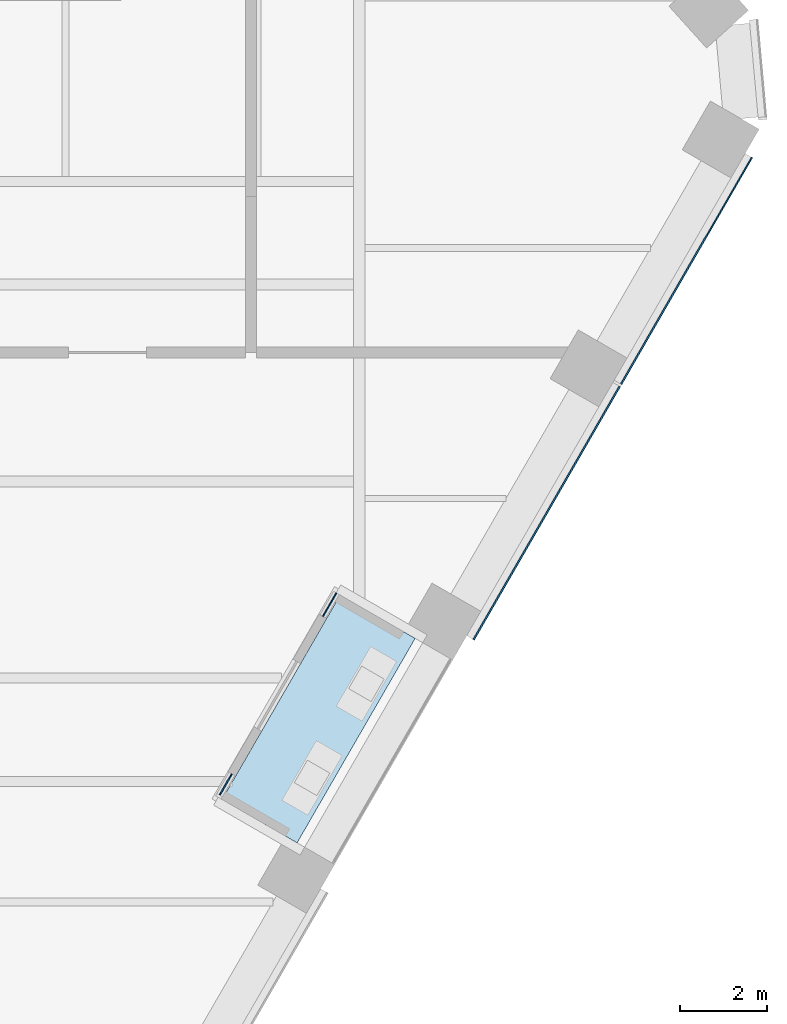
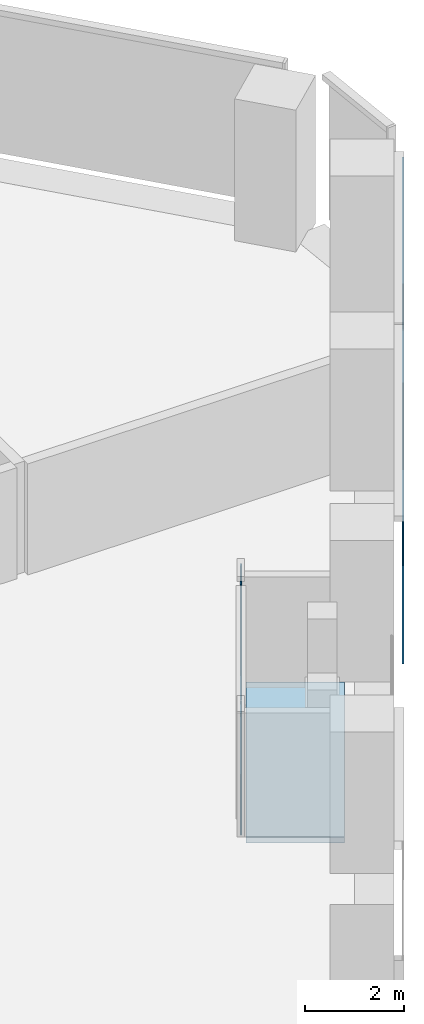
# One storey, part 14 of 25: 4 plates, 1 slab, 2 elements without a shape of their own.
"""IFC4 building model written with IfcOpenShell, lengths in metres."""

from ifc_helpers import new_model, si_unit, direction, frame, origin, origin_2d, place, context, subcontext, project, spatial, polyline, rectangle, outline, extrude, material, layer, layer_set, type_object, element, aggregate, save


model = new_model("IFC4")

# Units and contexts
model_context = context("Model", 3, precision=1e-05, world=origin(), true_north=direction((0.0, 1.0)))
body_context = subcontext(model_context, "Body", "Model", "MODEL_VIEW")
ifc_project = project(units=[si_unit("LENGTHUNIT", "METRE"), si_unit("AREAUNIT", "SQUARE_METRE"), si_unit("VOLUMEUNIT", "CUBIC_METRE"), si_unit("PLANEANGLEUNIT", "RADIAN"), si_unit("MASSUNIT", "GRAM", prefix="KILO")], contexts=[model_context])

# Site, building, storey
site_placement = place(None, origin())
site = spatial("IfcSite", under=ifc_project, at=site_placement, CompositionType="ELEMENT")
building_placement = place(site_placement, origin())
building = spatial("IfcBuilding", under=site, at=building_placement, Name="Isthmus Gate Tower", CompositionType="ELEMENT")
storey_placement = place(building_placement, frame((0.0, 0.0, 174.449951171875)))
storey = spatial("IfcBuildingStorey", under=building, at=storey_placement, Name="L43", CompositionType="ELEMENT", Elevation=174.449951171875)

# Curtain wall, plates
ifc_material_1 = material(Name="Aluminium, pale champagne anodised", Category="aluminium")
ifc_layer_1 = layer(ifc_material_1, 0.199951171875)
ifc_layer_set_1 = layer_set([ifc_layer_1], Name="CW-1 UNITISED CURTAIN WALL 200 DEEP")
curtain_wall_type_1 = type_object("IfcCurtainWallType", Name="CW-1 UNITISED CURTAIN WALL 200 DEEP", PredefinedType="NOTDEFINED", material=ifc_layer_set_1)
curtain_wall_1_placement = place(storey_placement, origin())
curtain_wall_1 = element("IfcCurtainWall", 1, at=curtain_wall_1_placement, inside=storey, type_object=curtain_wall_type_1, Name="CW-1 SE L43", PredefinedType="NOTDEFINED")
ifc_material_2 = material(Name="Laminated low-iron glass, pale blue tint", Category="glass")
ifc_layer_2 = layer(ifc_material_2, 0.035888671875)
ifc_layer_set_2 = layer_set([ifc_layer_2], Name="CW-1 CLEAR GLASS LITE 36")
plate_type_1 = type_object("IfcPlateType", Name="CW-1 CLEAR GLASS LITE 36", PredefinedType="CURTAIN_PANEL", material=ifc_layer_set_2)
plate_1_placement = place(storey_placement, frame((28.32470703125, -7.30419921875, 0.0), z_axis=(0.0, 0.0, 1.0), x_axis=(0.5, 0.866025403784, 0.0)))
plate_1 = element("IfcPlate", 2, at=plate_1_placement, type_object=plate_type_1, Name="CW-1 glass lite", PredefinedType="CURTAIN_PANEL", context=body_context, shape_type="SweptSolid", body=[
    extrude(rectangle(XDim=6.750244140625, YDim=0.035888671875, at=origin_2d()), origin(), (0.0, 0.0, 1.0), 3.510009765625),
])
plate_2_placement = place(storey_placement, frame((31.55224609375, -1.7138671875, 0.0), z_axis=(0.0, 0.0, 1.0), x_axis=(0.5, 0.866025403784, 0.0)))
plate_2 = element("IfcPlate", 3, at=plate_2_placement, type_object=plate_type_1, Name="CW-1 glass lite", PredefinedType="CURTAIN_PANEL", context=body_context, shape_type="SweptSolid", body=[
    extrude(rectangle(XDim=6.0400390625, YDim=0.035888671875, at=origin_2d()), origin(), (0.0, 0.0, 1.0), 3.510009765625),
])
aggregate(curtain_wall_1, [plate_1, plate_2])

ifc_material_3 = material(Name="Aluminium, pale champagne anodised", Category="aluminium")
ifc_layer_3 = layer(ifc_material_3, 0.14990234375)
ifc_layer_set_3 = layer_set([ifc_layer_3], Name="CW-6 LOGGIA BACK WALL GLAZING 150 DEEP")
curtain_wall_type_2 = type_object("IfcCurtainWallType", Name="CW-6 LOGGIA BACK WALL GLAZING 150 DEEP", PredefinedType="NOTDEFINED", material=ifc_layer_set_3)
curtain_wall_2_placement = place(storey_placement, origin())
curtain_wall_2 = element("IfcCurtainWall", 4, at=curtain_wall_2_placement, inside=storey, type_object=curtain_wall_type_2, Name="CW-6 SE L43", PredefinedType="NOTDEFINED")
ifc_material_4 = material(Name="Laminated low-iron glass, clear", Category="glass")
ifc_layer_4 = layer(ifc_material_4, 0.031982421875)
ifc_layer_set_4 = layer_set([ifc_layer_4], Name="CW-6 CLEAR GLASS LITE 32")
plate_type_2 = type_object("IfcPlateType", Name="CW-6 CLEAR GLASS LITE 32", PredefinedType="CURTAIN_PANEL", material=ifc_layer_set_4)
plate_3_placement = place(storey_placement, frame((20.916015625, -13.572265625, 0.0), z_axis=(0.0, 0.0, 1.0), x_axis=(0.5, 0.866025403784, 0.0)))
plate_3 = element("IfcPlate", 5, at=plate_3_placement, type_object=plate_type_2, Name="CW-6 glass lite", PredefinedType="CURTAIN_PANEL", context=body_context, shape_type="SweptSolid", body=[
    extrude(rectangle(XDim=0.565185546875, YDim=0.031982421875, at=origin_2d()), origin(), (0.0, 0.0, 1.0), 2.929931640625),
])
plate_4_placement = place(storey_placement, frame((23.313720703125, -9.419677734375, 0.0), z_axis=(0.0, 0.0, 1.0), x_axis=(0.5, 0.866025403784, 0.0)))
plate_4 = element("IfcPlate", 6, at=plate_4_placement, type_object=plate_type_2, Name="CW-6 glass lite", PredefinedType="CURTAIN_PANEL", context=body_context, shape_type="SweptSolid", body=[
    extrude(rectangle(XDim=0.625, YDim=0.031982421875, at=origin_2d()), origin(), (0.0, 0.0, 1.0), 2.929931640625),
])
aggregate(curtain_wall_2, [plate_3, plate_4])

# Slab
ifc_material_5 = material(Name="Concrete f'c 50 MPa", Category="concrete")
ifc_layer_5 = layer(ifc_material_5, 0.14990234375)
ifc_layer_set_5 = layer_set([ifc_layer_5], Name="LOGGIA FLOOR SLAB 150")
slab_type = type_object("IfcSlabType", Name="LOGGIA FLOOR SLAB 150", PredefinedType="FLOOR", material=ifc_layer_set_5)
slab_placement = place(storey_placement, frame((0.0, 0.0, -0.14990234375)))
element("IfcSlab", 7, at=slab_placement, inside=storey, type_object=slab_type, Name="LOGGIA FLOOR", PredefinedType="FLOOR", context=body_context, shape_type="SweptSolid", body=[
    extrude(outline(polyline([(22.5634765625, -14.9189453125), (25.28857421875, -10.198974609375), (23.556396484375, -9.198974609375), (20.831298828125, -13.9189453125), (22.5634765625, -14.9189453125)])), origin(), (0.0, 0.0, 1.0), 0.14990234375),
])

save(model, "model.ifc")
